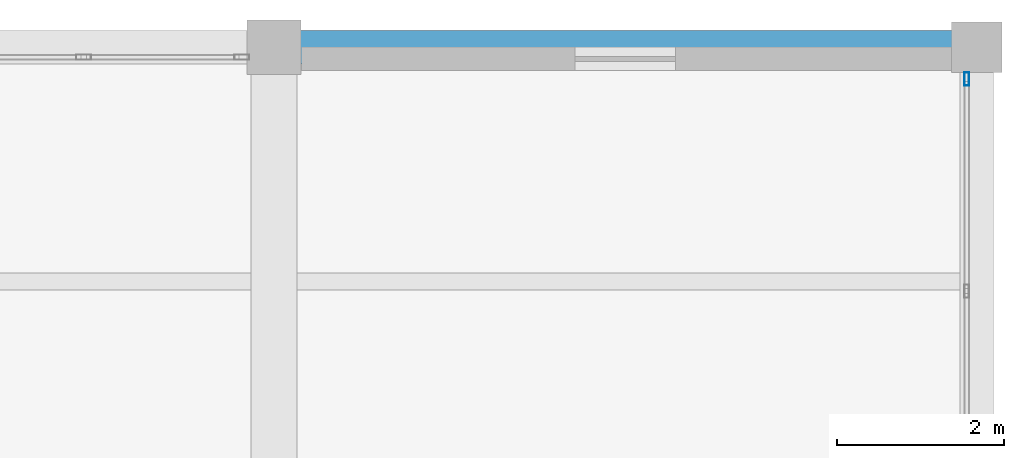
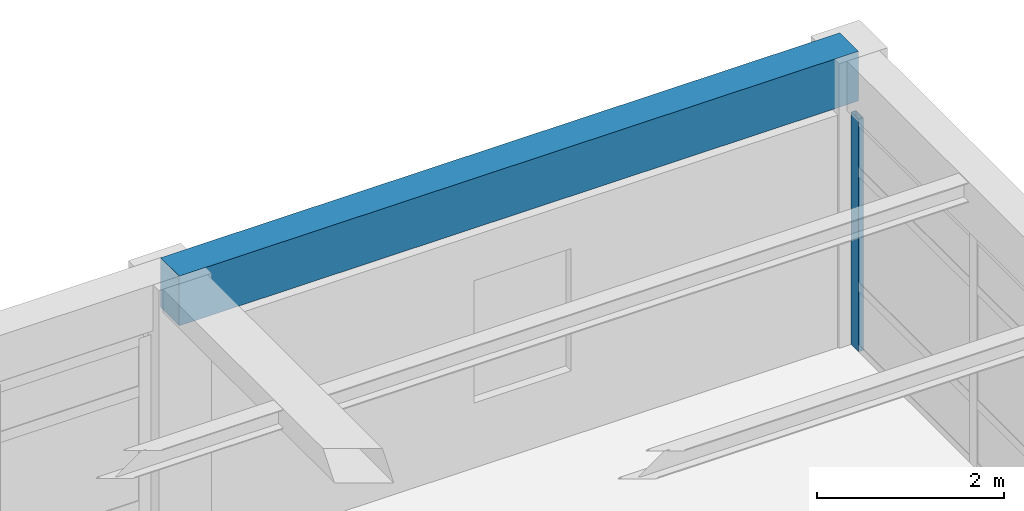
# One storey, part 21 of 26: 1 beam, 1 member, 1 element without a shape of its own.
"""IFC4 building model written with IfcOpenShell, lengths in metres."""

from ifc_helpers import new_model, si_unit, direction, frame, origin, origin_2d, place, context, subcontext, project, spatial, rectangle, hollow_rectangle, extrude, material, material_profile, profile_set, type_object, element, aggregate, save


model = new_model("IFC4")

# Units and contexts
model_context = context("Model", 3, precision=1e-05, world=origin(), true_north=direction((0.0, 1.0)))
body_context = subcontext(model_context, "Body", "Model", "MODEL_VIEW")
ifc_project = project(units=[si_unit("LENGTHUNIT", "METRE"), si_unit("AREAUNIT", "SQUARE_METRE"), si_unit("VOLUMEUNIT", "CUBIC_METRE"), si_unit("PLANEANGLEUNIT", "RADIAN"), si_unit("MASSUNIT", "GRAM", prefix="KILO")], contexts=[model_context])

# Site, building, storey
site_placement = place(None, origin())
site = spatial("IfcSite", under=ifc_project, at=site_placement, CompositionType="ELEMENT")
building_placement = place(site_placement, origin())
building = spatial("IfcBuilding", under=site, at=building_placement, Name="Almacenes y Pasaje Nevantli", CompositionType="ELEMENT")
storey_placement = place(building_placement, frame((0.0, 0.0, 42.699951171875)))
storey = spatial("IfcBuildingStorey", under=building, at=storey_placement, Name="L10", CompositionType="ELEMENT", Elevation=42.699951171875)

# Beam
ifc_material_1 = material(Name="Concrete C35/45", Category="concrete")
ifc_material_profile_1 = material_profile(ifc_material_1, rectangle(XDim=0.39990234375, YDim=0.64990234375, at=origin_2d()), Name="RC-BM-400x650")
ifc_profile_set_1 = profile_set([ifc_material_profile_1], Name="Concrete C35/45")
beam_type = type_object("IfcBeamType", Name="BM-RC-400x650", PredefinedType="SPANDREL", material=ifc_profile_set_1)
beam_placement = place(storey_placement, frame((151.199951171875, 100.800048828125, 3.39501953125), z_axis=(1.0, 0.0, 0.0), x_axis=(0.0, 1.0, 0.0)))
element("IfcBeam", 1, at=beam_placement, inside=storey, type_object=beam_type, Name="L10 East-West Reinforced Concrete Beam #3821", PredefinedType="SPANDREL", context=body_context, shape_type="SweptSolid", body=[
    extrude(rectangle(XDim=0.39990234375, YDim=0.64990234375, at=origin_2d()), origin(), (0.0, 0.0, 1.0), 8.400146484375),
])

# Curtain wall, member
ifc_material_2 = material(Name="Thermally Broken Aluminium and Low-E Glass", Category="aluminium")
curtain_wall_type = type_object("IfcCurtainWallType", Name="CW-UNIT-TOWER", PredefinedType="USERDEFINED", material=ifc_material_2)
curtain_wall_placement = place(storey_placement, origin())
curtain_wall = element("IfcCurtainWall", 2, at=curtain_wall_placement, inside=storey, type_object=curtain_wall_type, Name="L10 Tower East Curtain Wall Bay 12", ObjectType="UNITIZED CURTAIN WALL", PredefinedType="USERDEFINED")
ifc_material_3 = material(Name="Thermally Broken Anodized Aluminium", Category="aluminium")
ifc_material_profile_2 = material_profile(ifc_material_3, hollow_rectangle(XDim=0.06005859375, YDim=0.159912109375, WallThickness=0.00390625, at=origin_2d()), Name="ALU-MUL-60x160")
ifc_profile_set_2 = profile_set([ifc_material_profile_2], Name="Thermally Broken Anodized Aluminium")
member_type = type_object("IfcMemberType", Name="CW-MUL-180", PredefinedType="MULLION", material=ifc_profile_set_2)
member_placement = place(storey_placement, frame((159.47998046875, 100.419921875, 0.0), z_axis=(0.0, 0.0, 1.0), x_axis=(-1.0, 0.0, 0.0)))
member = element("IfcMember", 3, at=member_placement, type_object=member_type, Name="CW-L10-149 mullion 4", PredefinedType="MULLION", context=body_context, shape_type="SweptSolid", body=[
    extrude(hollow_rectangle(XDim=0.06005859375, YDim=0.159912109375, WallThickness=0.00390625, at=origin_2d()), origin(), (0.0, 0.0, 1.0), 3.0400390625),
])
aggregate(curtain_wall, [member])

save(model, "model.ifc")
